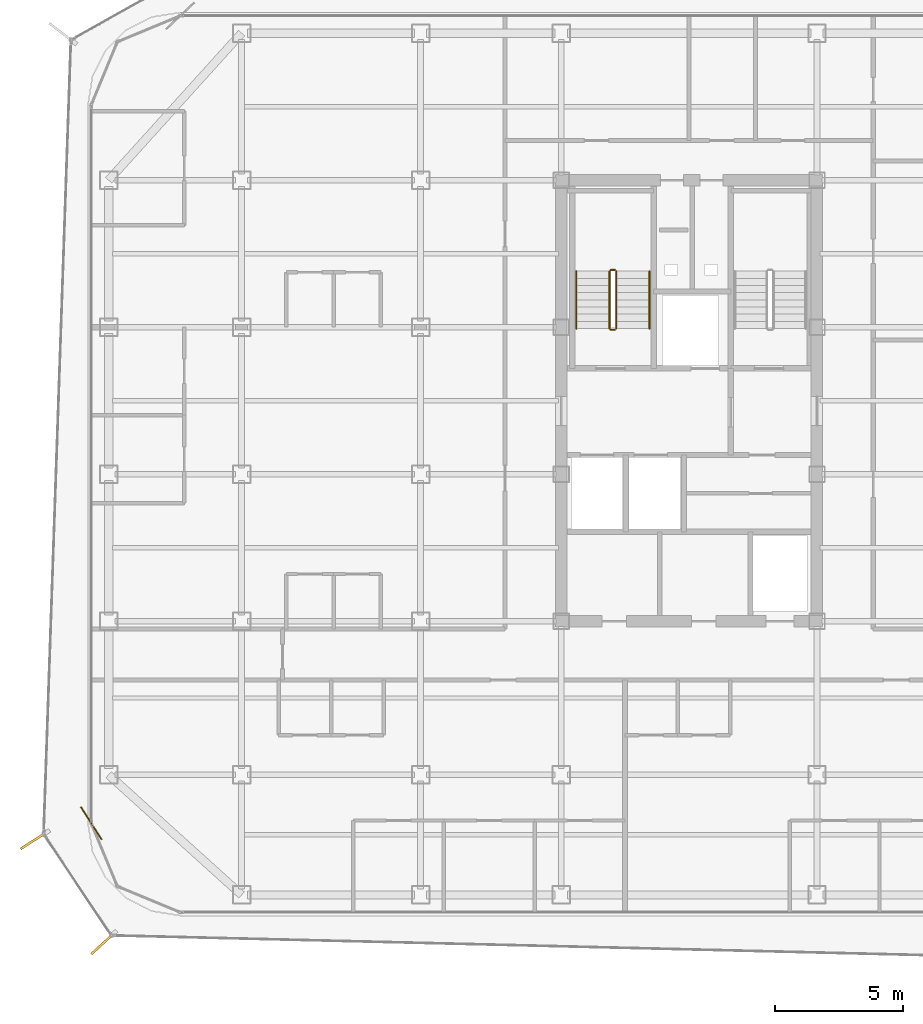
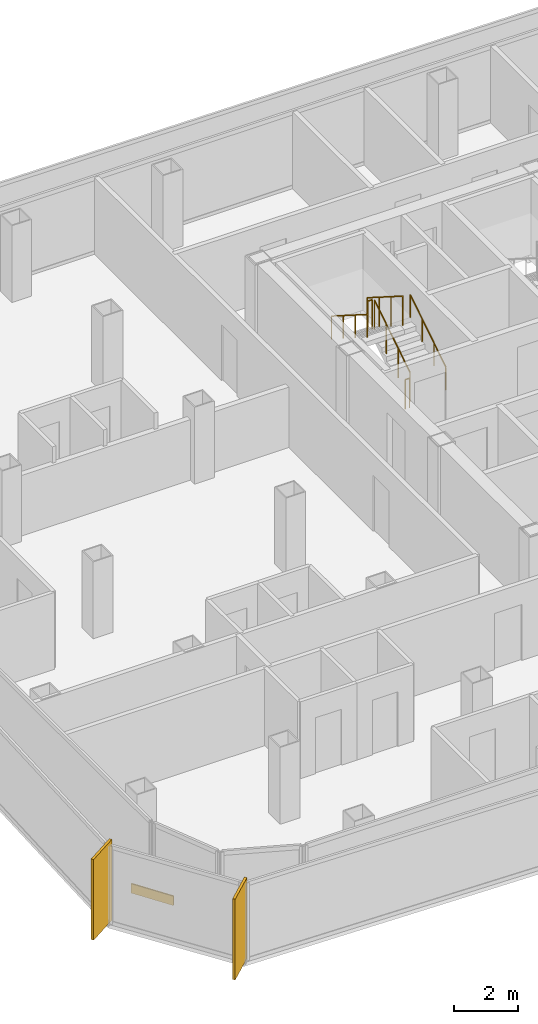
# One storey, part 13 of 15: 6 railings, 2 shading devices, 1 covering.
"""IFC4 building model written with IfcOpenShell, lengths in metres."""

from ifc_helpers import new_model, si_unit, direction, frame, origin, origin_2d, place, context, subcontext, project, spatial, rectangle, circle, extrude, source, transform, mapped, material, layer, layer_set, type_object, element, save


model = new_model("IFC4")

# Units and contexts
model_context = context("Model", 3, precision=1e-05, world=origin(), true_north=direction((0.0, 1.0)))
body_context = subcontext(model_context, "Body", "Model", "MODEL_VIEW")
ifc_project = project(units=[si_unit("LENGTHUNIT", "METRE"), si_unit("AREAUNIT", "SQUARE_METRE"), si_unit("VOLUMEUNIT", "CUBIC_METRE"), si_unit("PLANEANGLEUNIT", "RADIAN"), si_unit("MASSUNIT", "GRAM", prefix="KILO")], contexts=[model_context])

# Site, building, storey
site_placement = place(None, origin())
site = spatial("IfcSite", under=ifc_project, at=site_placement, CompositionType="ELEMENT")
building_placement = place(site_placement, origin())
building = spatial("IfcBuilding", under=site, at=building_placement, Name="Kolveth Station Tower", CompositionType="ELEMENT")
storey_placement = place(building_placement, frame((0.0, 0.0, 181.699951171875)))
storey = spatial("IfcBuildingStorey", under=building, at=storey_placement, Name="L51", CompositionType="ELEMENT", Elevation=181.699951171875)

# Railings
ifc_material_1 = material(Name="Painted Steel S355 balustrade", Category="steel")
railing_type_1 = type_object("IfcRailingType", Name="Guard_GR2", PredefinedType="BALUSTRADE", material=ifc_material_1)
railing_1_placement = place(storey_placement, frame((20.64990234375, 22.949951171875, 0.177734375)))
element("IfcRailing", 1, at=railing_1_placement, inside=storey, type_object=railing_type_1, Name="L51 ST1 stair guard 1", PredefinedType="BALUSTRADE", context=body_context, shape_type="SweptSolid", body=[
    extrude(circle(Radius=0.02392578125, at=origin_2d()), frame((0.0, 0.0, 1.1259765625), z_axis=(0.0, 0.84418770128, 0.536047689118), x_axis=(-1.0, 0.0, 0.0)), (0.0, 0.0, 1.0), 2.6533203125),
    extrude(circle(Radius=0.02099609375, at=origin_2d()), origin(), (0.0, 0.0, 1.0), 1.101806640625),
    extrude(circle(Radius=0.02099609375, at=origin_2d()), frame((0.0, 0.74658203125, 0.47412109375)), (0.0, 0.0, 1.0), 1.101806640625),
    extrude(circle(Radius=0.02099609375, at=origin_2d()), frame((0.0, 1.493408203125, 0.9482421875)), (0.0, 0.0, 1.0), 1.101806640625),
    extrude(circle(Radius=0.02099609375, at=origin_2d()), frame((0.0, 2.239990234375, 1.42236328125)), (0.0, 0.0, 1.0), 1.101806640625),
])
railing_2_placement = place(storey_placement, frame((20.60009765625, 25.239990234375, 1.60009765625)))
element("IfcRailing", 2, at=railing_2_placement, inside=storey, type_object=railing_type_1, Name="L51 ST1 stair guard 2", PredefinedType="BALUSTRADE", context=body_context, shape_type="SweptSolid", body=[
    extrude(circle(Radius=0.02392578125, at=origin_2d()), frame((0.0, 0.0, 1.1259765625), z_axis=(-1.0, 0.0, 0.0), x_axis=(0.0, -1.0, 0.0)), (0.0, 0.0, 1.0), 0.16015625),
    extrude(circle(Radius=0.02099609375, at=origin_2d()), origin(), (0.0, 0.0, 1.0), 1.101806640625),
    extrude(circle(Radius=0.02099609375, at=origin_2d()), frame((-0.16015625, 0.0, 0.0)), (0.0, 0.0, 1.0), 1.101806640625),
])
railing_3_placement = place(storey_placement, frame((20.389892578125, 25.18994140625, 1.77783203125)))
element("IfcRailing", 3, at=railing_3_placement, inside=storey, type_object=railing_type_1, Name="L51 ST1 stair guard 3", PredefinedType="BALUSTRADE", context=body_context, shape_type="SweptSolid", body=[
    extrude(circle(Radius=0.02392578125, at=origin_2d()), frame((0.0, 0.0, 1.1259765625), z_axis=(0.0, -0.8442293374, 0.53598211339), x_axis=(1.0, 0.0, 0.0)), (0.0, 0.0, 1.0), 2.6533203125),
    extrude(circle(Radius=0.02099609375, at=origin_2d()), origin(), (0.0, 0.0, 1.0), 1.101806640625),
    extrude(circle(Radius=0.02099609375, at=origin_2d()), frame((0.0, -0.74658203125, 0.47412109375)), (0.0, 0.0, 1.0), 1.101806640625),
    extrude(circle(Radius=0.02099609375, at=origin_2d()), frame((0.0, -1.493408203125, 0.947998046875)), (0.0, 0.0, 1.0), 1.101806640625),
    extrude(circle(Radius=0.02099609375, at=origin_2d()), frame((0.0, -2.239990234375, 1.422119140625)), (0.0, 0.0, 1.0), 1.101806640625),
])
railing_4_placement = place(storey_placement, frame((20.60009765625, 22.89990234375, 0.0)))
element("IfcRailing", 4, at=railing_4_placement, inside=storey, type_object=railing_type_1, Name="L51 ST1 stair guard 4", PredefinedType="BALUSTRADE", context=body_context, shape_type="SweptSolid", body=[
    extrude(circle(Radius=0.02392578125, at=origin_2d()), frame((0.0, 0.0, 1.1259765625), z_axis=(-1.0, 0.0, 0.0), x_axis=(0.0, -1.0, 0.0)), (0.0, 0.0, 1.0), 0.16015625),
    extrude(circle(Radius=0.02099609375, at=origin_2d()), origin(), (0.0, 0.0, 1.0), 1.101806640625),
    extrude(circle(Radius=0.02099609375, at=origin_2d()), frame((-0.16015625, 0.0, 0.0)), (0.0, 0.0, 1.0), 1.101806640625),
])
ifc_material_2 = material(Name="Brushed stainless steel", Category="steel")
railing_type_2 = type_object("IfcRailingType", Name="Handrail_HR1", PredefinedType="HANDRAIL", material=ifc_material_2)
railing_5_placement = place(storey_placement, frame((21.949951171875, 22.949951171875, 0.177734375)))
element("IfcRailing", 5, at=railing_5_placement, inside=storey, type_object=railing_type_2, Name="L51 ST1 stair handrail 1", PredefinedType="HANDRAIL", context=body_context, shape_type="SweptSolid", body=[
    extrude(circle(Radius=0.02392578125, at=origin_2d()), frame((0.0, 0.0, 0.8759765625), z_axis=(0.0, 0.84418770128, 0.536047689118), x_axis=(-1.0, 0.0, 0.0)), (0.0, 0.0, 1.0), 2.6533203125),
    extrude(circle(Radius=0.02099609375, at=origin_2d()), origin(), (0.0, 0.0, 1.0), 0.851806640625),
    extrude(circle(Radius=0.02099609375, at=origin_2d()), frame((0.0, 0.74658203125, 0.47412109375)), (0.0, 0.0, 1.0), 0.851806640625),
    extrude(circle(Radius=0.02099609375, at=origin_2d()), frame((0.0, 1.493408203125, 0.9482421875)), (0.0, 0.0, 1.0), 0.851806640625),
    extrude(circle(Radius=0.02099609375, at=origin_2d()), frame((0.0, 2.239990234375, 1.42236328125)), (0.0, 0.0, 1.0), 0.851806640625),
])
railing_6_placement = place(storey_placement, frame((19.090087890625, 25.18994140625, 1.77783203125)))
element("IfcRailing", 6, at=railing_6_placement, inside=storey, type_object=railing_type_2, Name="L51 ST1 stair handrail 2", PredefinedType="HANDRAIL", context=body_context, shape_type="SweptSolid", body=[
    extrude(circle(Radius=0.02392578125, at=origin_2d()), frame((0.0, 0.0, 0.8759765625), z_axis=(0.0, -0.8442293374, 0.53598211339), x_axis=(1.0, 0.0, 0.0)), (0.0, 0.0, 1.0), 2.6533203125),
    extrude(circle(Radius=0.02099609375, at=origin_2d()), origin(), (0.0, 0.0, 1.0), 0.851806640625),
    extrude(circle(Radius=0.02099609375, at=origin_2d()), frame((0.0, -0.74658203125, 0.47412109375)), (0.0, 0.0, 1.0), 0.851806640625),
    extrude(circle(Radius=0.02099609375, at=origin_2d()), frame((0.0, -1.493408203125, 0.947998046875)), (0.0, 0.0, 1.0), 0.851806640625),
    extrude(circle(Radius=0.02099609375, at=origin_2d()), frame((0.0, -2.239990234375, 1.422119140625)), (0.0, 0.0, 1.0), 0.851806640625),
])

# Shading devices
ifc_material_3 = material(Name="Black anodized aluminium 6063-T6", Category="aluminium")
shading_device_type = type_object("IfcShadingDeviceType", Name="FIN_VF1", PredefinedType="USERDEFINED", material=ifc_material_3)
shared_shape_1 = source(origin(), body_context, "Body", "SweptSolid", [
    extrude(rectangle(XDim=1.25, YDim=0.090087890625, at=origin_2d()), origin(), (0.0, 0.0, 1.0), 3.10009765625),
])
for number, where, z_axis, x_axis, name in (
    (7, (-2.114990234375, 2.93701171875, 0.0), (0.0, 0.0, 1.0), (-0.842546417417, -0.53862374112, 0.0), "L51 Dark-Aluminium Solar Fin 7"),
    (8, (0.5810546875, -1.093994140625, 0.0), (0.0, 0.0, 1.0), (-0.735032945147, -0.678031392746, 0.0), "L51 Dark-Aluminium Solar Fin 8"),
):
    element("IfcShadingDevice", number, at=place(storey_placement, frame(where, z_axis=z_axis, x_axis=x_axis)), inside=storey, type_object=shading_device_type, Name=name, ObjectType="FIN", PredefinedType="USERDEFINED", context=body_context, shape_type="MappedRepresentation", body=[
        mapped(shared_shape_1, transform((0.0, 0.0, 0.0), x_axis=(1.0, 0.0, 0.0), y_axis=(0.0, 1.0, 0.0), z_axis=(0.0, 0.0, 1.0), scale=1.0)),
    ])

# Covering
ifc_material_4 = material(Name="Charcoal anodized aluminium spandrel cladding", Category="aluminium")
ifc_layer = layer(ifc_material_4, 0.044921875)
ifc_layer_set = layer_set([ifc_layer], Name="Charcoal anodized aluminium spandrel cladding")
covering_type = type_object("IfcCoveringType", Name="Clad_CD1", PredefinedType="CLADDING", material=ifc_layer_set)
shared_shape_2 = source(origin(), body_context, "Body", "SweptSolid", [
    extrude(rectangle(XDim=1.5, YDim=0.044921875, at=origin_2d()), origin(), (0.0, 0.0, 1.0), 0.360107421875),
])
covering_placement = place(storey_placement, frame((0.1201171875, 3.60009765625, 0.0), z_axis=(0.0, 0.0, 1.0), x_axis=(0.53862374112, -0.842546417417, 0.0)))
element("IfcCovering", 9, at=covering_placement, inside=storey, type_object=covering_type, Name="L51 Spandrel Edge Cladding 7", PredefinedType="CLADDING", context=body_context, shape_type="MappedRepresentation", body=[
    mapped(shared_shape_2, transform((0.0, 0.0, 0.0), x_axis=(1.0, 0.0, 0.0), y_axis=(0.0, 1.0, 0.0), z_axis=(0.0, 0.0, 1.0), scale=1.0)),
])

save(model, "model.ifc")
